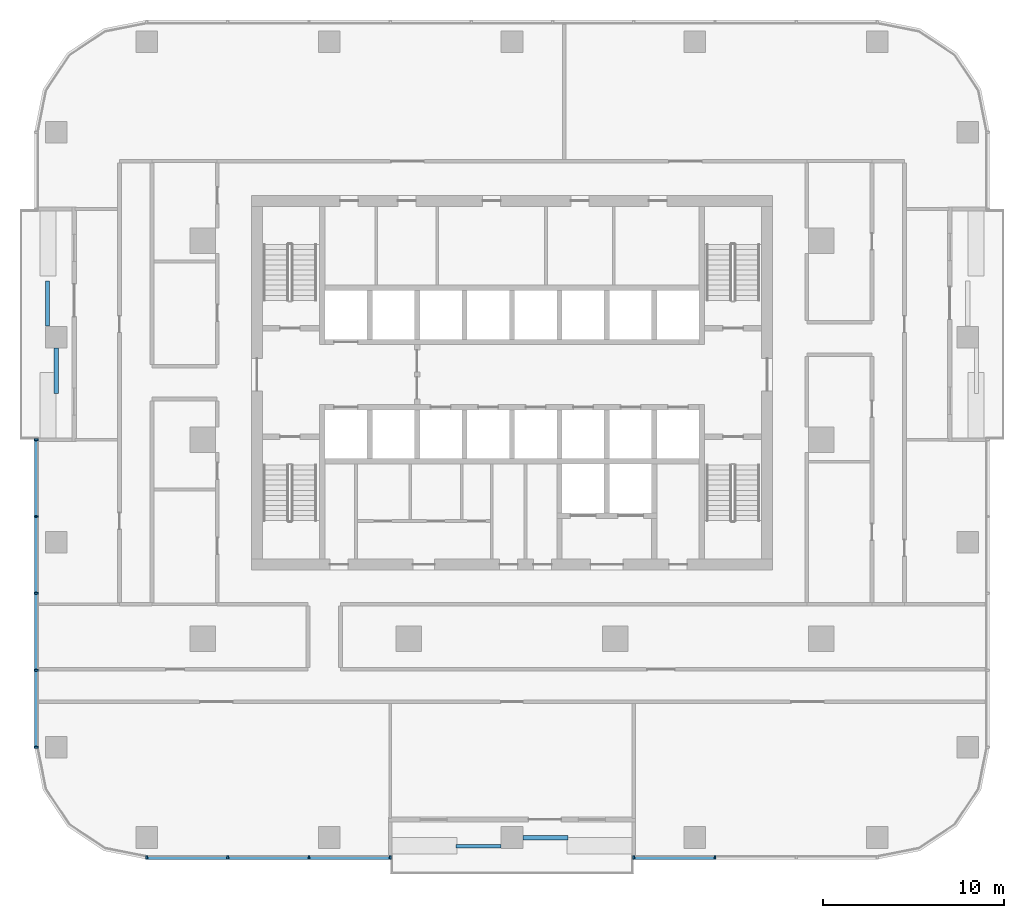
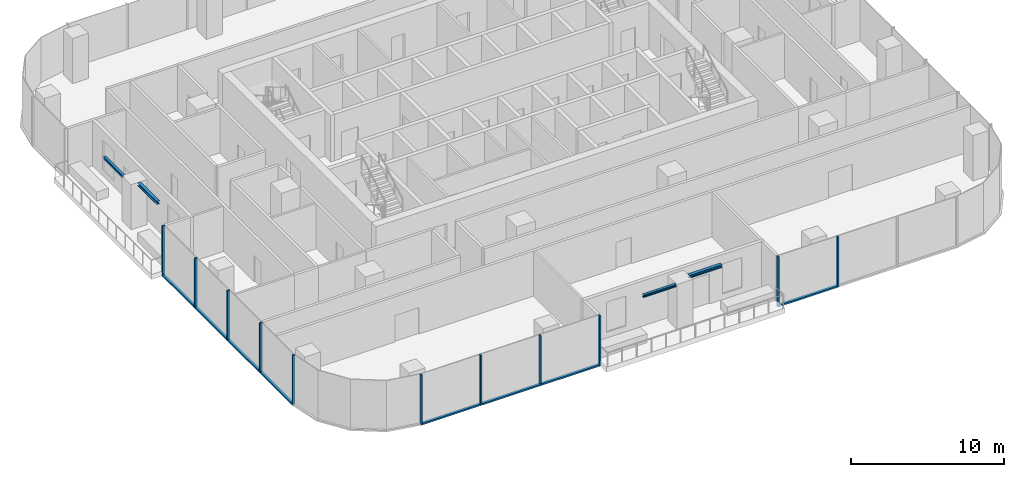
# One storey, part 2 of 14: 19 members, 4 beams, 3 elements without a shape of their own.
"""IFC4 building model written with IfcOpenShell, lengths in metres."""

from ifc_helpers import new_model, si_unit, direction, frame, origin, origin_2d, place, context, subcontext, project, spatial, rectangle, i_section, extrude, material, material_profile, profile_set, type_object, element, aggregate, save


model = new_model("IFC4")

# Units and contexts
model_context = context("Model", 3, precision=1e-05, world=origin(), true_north=direction((0.0, 1.0)))
body_context = subcontext(model_context, "Body", "Model", "MODEL_VIEW")
ifc_project = project(units=[si_unit("LENGTHUNIT", "METRE"), si_unit("AREAUNIT", "SQUARE_METRE"), si_unit("VOLUMEUNIT", "CUBIC_METRE"), si_unit("PLANEANGLEUNIT", "RADIAN"), si_unit("MASSUNIT", "GRAM", prefix="KILO")], contexts=[model_context])

# Site, building, storey
site_placement = place(None, origin())
site = spatial("IfcSite", under=ifc_project, at=site_placement, CompositionType="ELEMENT")
building_placement = place(site_placement, origin())
building = spatial("IfcBuilding", under=site, at=building_placement, Name="Mopane Tessera Tower", CompositionType="ELEMENT")
storey_placement = place(building_placement, frame((0.0, 0.0, 161.0)))
storey = spatial("IfcBuildingStorey", under=building, at=storey_placement, Name="L32", CompositionType="ELEMENT", Elevation=161.0)

# Curtain wall, members
ifc_material_1 = material(Name="Aluminium frame", Category="aluminium")
curtain_wall_type = type_object("IfcCurtainWallType", Name="Unitised curtain wall", PredefinedType="NOTDEFINED", material=ifc_material_1)
curtain_wall_1_placement = place(storey_placement, origin())
curtain_wall_1 = element("IfcCurtainWall", 1, at=curtain_wall_1_placement, inside=storey, type_object=curtain_wall_type, Name="e:cw:L32:S:0", PredefinedType="NOTDEFINED")
ifc_material_2 = material(Name="Aluminium frame", Category="aluminium")
ifc_material_profile_1 = material_profile(ifc_material_2, rectangle(XDim=0.10009765625, YDim=0.199951171875, at=origin_2d()))
ifc_profile_set_1 = profile_set([ifc_material_profile_1], Name="Aluminium frame")
member_type_1 = type_object("IfcMemberType", Name="Aluminium mullion 100 x 200", PredefinedType="MULLION", material=ifc_profile_set_1)
member_1_placement = place(storey_placement, frame((-20.199951171875, -23.10009765625, -0.39990234375), z_axis=(0.0, 0.0, 1.0), x_axis=(1.0, 0.0, 0.0)))
member_1 = element("IfcMember", 2, at=member_1_placement, type_object=member_type_1, Name="e:cw:L32:S:0:mu0", PredefinedType="MULLION", context=body_context, shape_type="SweptSolid", body=[
    extrude(rectangle(XDim=0.10009765625, YDim=0.199951171875, at=origin_2d()), origin(), (0.0, 0.0, 1.0), 4.0),
])
member_2_placement = place(storey_placement, frame((-15.711181640625, -23.10009765625, -0.39990234375), z_axis=(0.0, 0.0, 1.0), x_axis=(1.0, 0.0, 0.0)))
member_2 = element("IfcMember", 3, at=member_2_placement, type_object=member_type_1, Name="e:cw:L32:S:0:mu1", PredefinedType="MULLION", context=body_context, shape_type="SweptSolid", body=[
    extrude(rectangle(XDim=0.10009765625, YDim=0.199951171875, at=origin_2d()), origin(), (0.0, 0.0, 1.0), 4.0),
])
member_3_placement = place(storey_placement, frame((-11.22216796875, -23.10009765625, -0.39990234375), z_axis=(0.0, 0.0, 1.0), x_axis=(1.0, 0.0, 0.0)))
member_3 = element("IfcMember", 4, at=member_3_placement, type_object=member_type_1, Name="e:cw:L32:S:0:mu2", PredefinedType="MULLION", context=body_context, shape_type="SweptSolid", body=[
    extrude(rectangle(XDim=0.10009765625, YDim=0.199951171875, at=origin_2d()), origin(), (0.0, 0.0, 1.0), 4.0),
])
member_4_placement = place(storey_placement, frame((-6.7333984375, -23.10009765625, -0.39990234375), z_axis=(0.0, 0.0, 1.0), x_axis=(1.0, 0.0, 0.0)))
member_4 = element("IfcMember", 5, at=member_4_placement, type_object=member_type_1, Name="e:cw:L32:S:0:mu3", PredefinedType="MULLION", context=body_context, shape_type="SweptSolid", body=[
    extrude(rectangle(XDim=0.10009765625, YDim=0.199951171875, at=origin_2d()), origin(), (0.0, 0.0, 1.0), 4.0),
])

curtain_wall_2_placement = place(storey_placement, origin())
curtain_wall_2 = element("IfcCurtainWall", 6, at=curtain_wall_2_placement, inside=storey, type_object=curtain_wall_type, Name="e:cw:L32:S:6", PredefinedType="NOTDEFINED")
member_5_placement = place(storey_placement, frame((6.7333984375, -23.10009765625, -0.39990234375), z_axis=(0.0, 0.0, 1.0), x_axis=(1.0, 0.0, 0.0)))
member_5 = element("IfcMember", 7, at=member_5_placement, type_object=member_type_1, Name="e:cw:L32:S:6:mu6", PredefinedType="MULLION", context=body_context, shape_type="SweptSolid", body=[
    extrude(rectangle(XDim=0.10009765625, YDim=0.199951171875, at=origin_2d()), origin(), (0.0, 0.0, 1.0), 4.0),
])
member_6_placement = place(storey_placement, frame((11.22216796875, -23.10009765625, -0.39990234375), z_axis=(0.0, 0.0, 1.0), x_axis=(1.0, 0.0, 0.0)))
member_6 = element("IfcMember", 8, at=member_6_placement, type_object=member_type_1, Name="e:cw:L32:S:6:mu7", PredefinedType="MULLION", context=body_context, shape_type="SweptSolid", body=[
    extrude(rectangle(XDim=0.10009765625, YDim=0.199951171875, at=origin_2d()), origin(), (0.0, 0.0, 1.0), 4.0),
])

curtain_wall_3_placement = place(storey_placement, origin())
curtain_wall_3 = element("IfcCurtainWall", 9, at=curtain_wall_3_placement, inside=storey, type_object=curtain_wall_type, Name="e:cw:L32:W:4", PredefinedType="NOTDEFINED")
member_7_placement = place(storey_placement, frame((-26.300048828125, 0.0, -0.39990234375), z_axis=(0.0, 0.0, 1.0), x_axis=(0.0, -1.0, 0.0)))
member_7 = element("IfcMember", 10, at=member_7_placement, type_object=member_type_1, Name="e:cw:L32:W:4:mu4", PredefinedType="MULLION", context=body_context, shape_type="SweptSolid", body=[
    extrude(rectangle(XDim=0.10009765625, YDim=0.199951171875, at=origin_2d()), origin(), (0.0, 0.0, 1.0), 4.0),
])
member_8_placement = place(storey_placement, frame((-26.300048828125, -4.25, -0.39990234375), z_axis=(0.0, 0.0, 1.0), x_axis=(0.0, -1.0, 0.0)))
member_8 = element("IfcMember", 11, at=member_8_placement, type_object=member_type_1, Name="e:cw:L32:W:4:mu5", PredefinedType="MULLION", context=body_context, shape_type="SweptSolid", body=[
    extrude(rectangle(XDim=0.10009765625, YDim=0.199951171875, at=origin_2d()), origin(), (0.0, 0.0, 1.0), 4.0),
])
member_9_placement = place(storey_placement, frame((-26.300048828125, -8.5, -0.39990234375), z_axis=(0.0, 0.0, 1.0), x_axis=(0.0, -1.0, 0.0)))
member_9 = element("IfcMember", 12, at=member_9_placement, type_object=member_type_1, Name="e:cw:L32:W:4:mu6", PredefinedType="MULLION", context=body_context, shape_type="SweptSolid", body=[
    extrude(rectangle(XDim=0.10009765625, YDim=0.199951171875, at=origin_2d()), origin(), (0.0, 0.0, 1.0), 4.0),
])
member_10_placement = place(storey_placement, frame((-26.300048828125, -12.75, -0.39990234375), z_axis=(0.0, 0.0, 1.0), x_axis=(0.0, -1.0, 0.0)))
member_10 = element("IfcMember", 13, at=member_10_placement, type_object=member_type_1, Name="e:cw:L32:W:4:mu7", PredefinedType="MULLION", context=body_context, shape_type="SweptSolid", body=[
    extrude(rectangle(XDim=0.10009765625, YDim=0.199951171875, at=origin_2d()), origin(), (0.0, 0.0, 1.0), 4.0),
])
member_11_placement = place(storey_placement, frame((-26.300048828125, -17.0, -0.39990234375), z_axis=(0.0, 0.0, 1.0), x_axis=(0.0, -1.0, 0.0)))
member_11 = element("IfcMember", 14, at=member_11_placement, type_object=member_type_1, Name="e:cw:L32:W:4:mu8", PredefinedType="MULLION", context=body_context, shape_type="SweptSolid", body=[
    extrude(rectangle(XDim=0.10009765625, YDim=0.199951171875, at=origin_2d()), origin(), (0.0, 0.0, 1.0), 4.0),
])

# Member
ifc_material_3 = material(Name="Aluminium frame", Category="aluminium")
ifc_material_profile_2 = material_profile(ifc_material_3, rectangle(XDim=0.199951171875, YDim=0.1201171875, at=origin_2d()))
ifc_profile_set_2 = profile_set([ifc_material_profile_2], Name="Aluminium frame")
member_type_2 = type_object("IfcMemberType", Name="Aluminium transom 200 x 120", PredefinedType="USERDEFINED", material=ifc_profile_set_2)
member_12_placement = place(storey_placement, frame((-20.14990234375, -23.10009765625, -0.340087890625), z_axis=(1.0, 0.0, 0.0), x_axis=(0.0, 1.0, 0.0)))
member_12 = element("IfcMember", 15, at=member_12_placement, type_object=member_type_2, Name="e:cw:L32:S:0:tr0", ObjectType="TRANSOM", PredefinedType="USERDEFINED", context=body_context, shape_type="SweptSolid", body=[
    extrude(rectangle(XDim=0.199951171875, YDim=0.1201171875, at=origin_2d()), origin(), (0.0, 0.0, 1.0), 4.388671875),
])

member_13_placement = place(storey_placement, frame((-15.6611328125, -23.10009765625, -0.340087890625), z_axis=(1.0, 0.0, 0.0), x_axis=(0.0, 1.0, 0.0)))
member_13 = element("IfcMember", 16, at=member_13_placement, type_object=member_type_2, Name="e:cw:L32:S:0:tr1", ObjectType="TRANSOM", PredefinedType="USERDEFINED", context=body_context, shape_type="SweptSolid", body=[
    extrude(rectangle(XDim=0.199951171875, YDim=0.1201171875, at=origin_2d()), origin(), (0.0, 0.0, 1.0), 4.388916015625),
])

member_14_placement = place(storey_placement, frame((-11.172119140625, -23.10009765625, -0.340087890625), z_axis=(1.0, 0.0, 0.0), x_axis=(0.0, 1.0, 0.0)))
member_14 = element("IfcMember", 17, at=member_14_placement, type_object=member_type_2, Name="e:cw:L32:S:0:tr2", ObjectType="TRANSOM", PredefinedType="USERDEFINED", context=body_context, shape_type="SweptSolid", body=[
    extrude(rectangle(XDim=0.199951171875, YDim=0.1201171875, at=origin_2d()), origin(), (0.0, 0.0, 1.0), 4.388671875),
])

aggregate(curtain_wall_1, [member_1, member_2, member_3, member_4, member_12, member_13, member_14])

member_15_placement = place(storey_placement, frame((6.783447265625, -23.10009765625, -0.340087890625), z_axis=(1.0, 0.0, 0.0), x_axis=(0.0, 1.0, 0.0)))
member_15 = element("IfcMember", 18, at=member_15_placement, type_object=member_type_2, Name="e:cw:L32:S:6:tr6", ObjectType="TRANSOM", PredefinedType="USERDEFINED", context=body_context, shape_type="SweptSolid", body=[
    extrude(rectangle(XDim=0.199951171875, YDim=0.1201171875, at=origin_2d()), origin(), (0.0, 0.0, 1.0), 4.388671875),
])

aggregate(curtain_wall_2, [member_5, member_6, member_15])

member_16_placement = place(storey_placement, frame((-26.300048828125, -0.050048828125, -0.340087890625), z_axis=(0.0, -1.0, 0.0), x_axis=(1.0, 0.0, 0.0)))
member_16 = element("IfcMember", 19, at=member_16_placement, type_object=member_type_2, Name="e:cw:L32:W:4:tr4", ObjectType="TRANSOM", PredefinedType="USERDEFINED", context=body_context, shape_type="SweptSolid", body=[
    extrude(rectangle(XDim=0.199951171875, YDim=0.1201171875, at=origin_2d()), origin(), (0.0, 0.0, 1.0), 4.14990234375),
])

member_17_placement = place(storey_placement, frame((-26.300048828125, -4.300048828125, -0.340087890625), z_axis=(0.0, -1.0, 0.0), x_axis=(1.0, 0.0, 0.0)))
member_17 = element("IfcMember", 20, at=member_17_placement, type_object=member_type_2, Name="e:cw:L32:W:4:tr5", ObjectType="TRANSOM", PredefinedType="USERDEFINED", context=body_context, shape_type="SweptSolid", body=[
    extrude(rectangle(XDim=0.199951171875, YDim=0.1201171875, at=origin_2d()), origin(), (0.0, 0.0, 1.0), 4.14990234375),
])

member_18_placement = place(storey_placement, frame((-26.300048828125, -8.550048828125, -0.340087890625), z_axis=(0.0, -1.0, 0.0), x_axis=(1.0, 0.0, 0.0)))
member_18 = element("IfcMember", 21, at=member_18_placement, type_object=member_type_2, Name="e:cw:L32:W:4:tr6", ObjectType="TRANSOM", PredefinedType="USERDEFINED", context=body_context, shape_type="SweptSolid", body=[
    extrude(rectangle(XDim=0.199951171875, YDim=0.1201171875, at=origin_2d()), origin(), (0.0, 0.0, 1.0), 4.14990234375),
])

member_19_placement = place(storey_placement, frame((-26.300048828125, -12.800048828125, -0.340087890625), z_axis=(0.0, -1.0, 0.0), x_axis=(1.0, 0.0, 0.0)))
member_19 = element("IfcMember", 22, at=member_19_placement, type_object=member_type_2, Name="e:cw:L32:W:4:tr7", ObjectType="TRANSOM", PredefinedType="USERDEFINED", context=body_context, shape_type="SweptSolid", body=[
    extrude(rectangle(XDim=0.199951171875, YDim=0.1201171875, at=origin_2d()), origin(), (0.0, 0.0, 1.0), 4.14990234375),
])

aggregate(curtain_wall_3, [member_7, member_8, member_9, member_10, member_11, member_16, member_17, member_18, member_19])

# Beams
ifc_material_4 = material(Name="Structural steel S460", Category="steel")
ifc_material_profile_3 = material_profile(ifc_material_4, i_section(OverallWidth=0.239990234375, OverallDepth=0.239990234375, WebThickness=0.010009765625, FlangeThickness=0.01708984375, FilletRadius=0.02099609375, at=origin_2d()))
ifc_profile_set_3 = profile_set([ifc_material_profile_3], Name="Structural steel S460")
beam_type_1 = type_object("IfcBeamType", Name="Terrace spandrel beam HE 240 B", PredefinedType="SPANDREL", material=ifc_profile_set_3)
for number, where, z_axis, x_axis, name in (
    (23, (-25.199951171875, 5.063720703125, 3.47998046875), (0.0, -1.0, 0.0), (1.0, 0.0, 0.0), "Terrace spandrel beam N1 L33"),
    (24, (0.60302734375, -22.0, 3.47998046875), (1.0, 0.0, 0.0), (0.0, 1.0, 0.0), "Terrace spandrel beam N2 L33"),
):
    element("IfcBeam", number, at=place(storey_placement, frame(where, z_axis=z_axis, x_axis=x_axis)), inside=storey, type_object=beam_type_1, Name=name, PredefinedType="SPANDREL", context=body_context, shape_type="SweptSolid", body=[
        extrude(i_section(OverallWidth=0.239990234375, OverallDepth=0.239990234375, WebThickness=0.010009765625, FlangeThickness=0.01708984375, FilletRadius=0.02099609375, at=origin_2d()), origin(), (0.0, 0.0, 1.0), 2.5),
    ])
ifc_material_5 = material(Name="Structural steel S460", Category="steel")
ifc_material_profile_4 = material_profile(ifc_material_5, i_section(OverallWidth=0.199951171875, OverallDepth=0.199951171875, WebThickness=0.009033203125, FlangeThickness=0.014892578125, FilletRadius=0.01806640625, at=origin_2d()))
ifc_profile_set_4 = profile_set([ifc_material_profile_4], Name="Structural steel S460")
beam_type_2 = type_object("IfcBeamType", Name="Terrace trimmer beam HE 200 B", PredefinedType="BEAM", material=ifc_profile_set_4)
for number, where, z_axis, x_axis, name in (
    (25, (-25.679931640625, 6.269775390625, 3.5), (0.0, 1.0, 0.0), (-1.0, 0.0, 0.0), "Terrace trimmer beam N1 L33"),
    (26, (-0.60302734375, -22.47998046875, 3.5), (-1.0, 0.0, 0.0), (0.0, -1.0, 0.0), "Terrace trimmer beam N2 L33"),
):
    element("IfcBeam", number, at=place(storey_placement, frame(where, z_axis=z_axis, x_axis=x_axis)), inside=storey, type_object=beam_type_2, Name=name, PredefinedType="BEAM", context=body_context, shape_type="SweptSolid", body=[
        extrude(i_section(OverallWidth=0.199951171875, OverallDepth=0.199951171875, WebThickness=0.009033203125, FlangeThickness=0.014892578125, FilletRadius=0.01806640625, at=origin_2d()), origin(), (0.0, 0.0, 1.0), 2.5),
    ])

save(model, "model.ifc")
